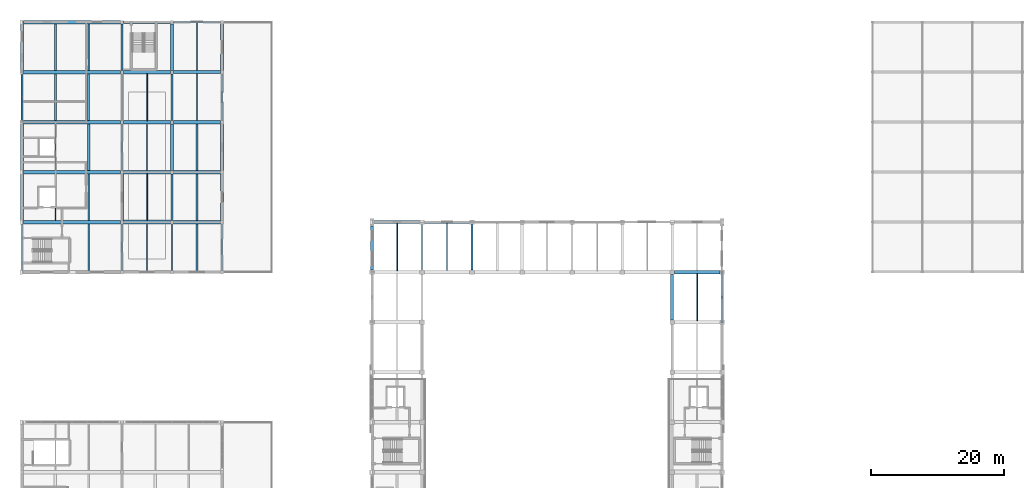
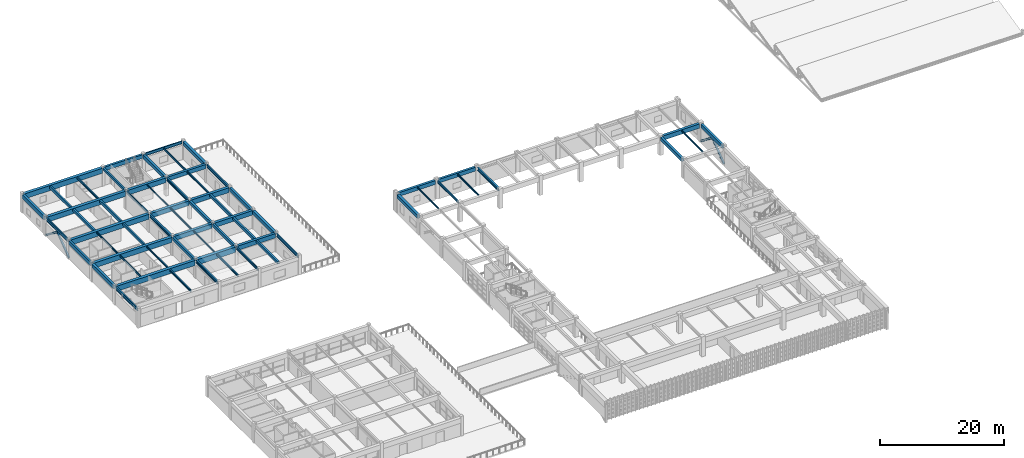
# One storey, part 36 of 82: 64 beams, 4 members.
"""IFC4 building model written with IfcOpenShell, lengths in metres."""

from ifc_helpers import new_model, si_unit, direction, frame, origin, origin_2d, place, context, subcontext, project, spatial, rectangle, i_section, extrude, material, material_profile, profile_set, type_object, element, save


model = new_model("IFC4")

# Units and contexts
model_context = context("Model", 3, precision=1e-05, world=origin(), true_north=direction((0.0, 1.0)))
body_context = subcontext(model_context, "Body", "Model", "MODEL_VIEW")
ifc_project = project(units=[si_unit("LENGTHUNIT", "METRE"), si_unit("AREAUNIT", "SQUARE_METRE"), si_unit("VOLUMEUNIT", "CUBIC_METRE"), si_unit("PLANEANGLEUNIT", "RADIAN"), si_unit("MASSUNIT", "GRAM", prefix="KILO")], contexts=[model_context])

# Site, building, storey
site_placement = place(None, origin())
site = spatial("IfcSite", under=ifc_project, at=site_placement, CompositionType="ELEMENT")
building_placement = place(site_placement, origin())
building = spatial("IfcBuilding", under=site, at=building_placement, Name="Qasida Concert Hall", CompositionType="ELEMENT")
storey_placement = place(building_placement, frame((0.0, 0.0, 17.10009765625)))
storey = spatial("IfcBuildingStorey", under=building, at=storey_placement, Name="L04", CompositionType="ELEMENT", Elevation=17.10009765625)

# Beams
ifc_material_1 = material(Name="Concrete C40/50", Category="concrete")
ifc_material_profile_1 = material_profile(ifc_material_1, rectangle(XDim=0.39990234375, YDim=0.64990234375, at=origin_2d()), Name="RC 400x650")
ifc_profile_set_1 = profile_set([ifc_material_profile_1], Name="Concrete C40/50")
beam_type_1 = type_object("IfcBeamType", Name="BM-B1", PredefinedType="BEAM", material=ifc_profile_set_1)
beam_1_placement = place(storey_placement, frame((22.5, 90.25, 3.294921875), z_axis=(0.0, 1.0, 0.0), x_axis=(-1.0, 0.0, 0.0)))
element("IfcBeam", 1, at=beam_1_placement, inside=storey, type_object=beam_type_1, Name="L04 girder 1961", PredefinedType="BEAM", context=body_context, shape_type="SweptSolid", body=[
    extrude(rectangle(XDim=0.39990234375, YDim=0.64990234375, at=origin_2d()), origin(), (0.0, 0.0, 1.0), 7.0),
])
ifc_material_profile_2 = material_profile(ifc_material_1, rectangle(XDim=0.3798828125, YDim=0.6201171875, at=origin_2d()), Name="RC 380x620")
ifc_profile_set_2 = profile_set([ifc_material_profile_2], Name="Concrete C40/50")
beam_type_2 = type_object("IfcBeamType", Name="BM-B10", PredefinedType="BEAM", material=ifc_profile_set_2)
beam_2_placement = place(storey_placement, frame((15.0, 82.75, 3.309814453125), z_axis=(0.0, 1.0, 0.0), x_axis=(-1.0, 0.0, 0.0)))
element("IfcBeam", 2, at=beam_2_placement, inside=storey, type_object=beam_type_2, Name="L04 girder 1955", PredefinedType="BEAM", context=body_context, shape_type="SweptSolid", body=[
    extrude(rectangle(XDim=0.3798828125, YDim=0.6201171875, at=origin_2d()), origin(), (0.0, 0.0, 1.0), 7.0),
])
ifc_material_profile_3 = material_profile(ifc_material_1, rectangle(XDim=0.419921875, YDim=0.699951171875, at=origin_2d()), Name="RC 420x700")
ifc_profile_set_3 = profile_set([ifc_material_profile_3], Name="Concrete C40/50")
beam_type_3 = type_object("IfcBeamType", Name="BM-B11", PredefinedType="BEAM", material=ifc_profile_set_3)
beam_3_placement = place(storey_placement, frame((97.5, 67.85009765625, 3.27001953125), z_axis=(0.0, 1.0, 0.0), x_axis=(-1.0, 0.0, 0.0)))
element("IfcBeam", 3, at=beam_3_placement, inside=storey, type_object=beam_type_3, Name="L04 girder 1861", PredefinedType="BEAM", context=body_context, shape_type="SweptSolid", body=[
    extrude(rectangle(XDim=0.419921875, YDim=0.699951171875, at=origin_2d()), origin(), (0.0, 0.0, 1.0), 6.7998046875),
])
beam_4_placement = place(storey_placement, frame((22.5, 105.25, 3.27001953125), z_axis=(0.0, 1.0, 0.0), x_axis=(-1.0, 0.0, 0.0)))
element("IfcBeam", 4, at=beam_4_placement, inside=storey, type_object=beam_type_3, Name="L04 girder 1963", PredefinedType="BEAM", context=body_context, shape_type="SweptSolid", body=[
    extrude(rectangle(XDim=0.419921875, YDim=0.699951171875, at=origin_2d()), origin(), (0.0, 0.0, 1.0), 7.0),
])
ifc_material_2 = material(Name="Steel S355J2", Category="steel")
ifc_material_profile_4 = material_profile(ifc_material_2, i_section(OverallWidth=0.300048828125, OverallDepth=0.550048828125, WebThickness=0.014892578125, FlangeThickness=0.029052734375, FilletRadius=0.027099609375, at=origin_2d()), Name="HEB 550")
ifc_profile_set_4 = profile_set([ifc_material_profile_4], Name="Steel S355J2")
beam_type_4 = type_object("IfcBeamType", Name="BM-B12", PredefinedType="BEAM", material=ifc_profile_set_4)
for number, where, z_axis, x_axis, name in (
    (5, (15.0, 75.25, 3.344970703125), (0.0, 1.0, 0.0), (-1.0, 0.0, 0.0), "L04 girder 1954"),
    (6, (22.5, 97.75, 3.344970703125), (0.0, 1.0, 0.0), (-1.0, 0.0, 0.0), "L04 girder 1962"),
):
    element("IfcBeam", number, at=place(storey_placement, frame(where, z_axis=z_axis, x_axis=x_axis)), inside=storey, type_object=beam_type_4, Name=name, PredefinedType="BEAM", context=body_context, shape_type="SweptSolid", body=[
        extrude(i_section(OverallWidth=0.300048828125, OverallDepth=0.550048828125, WebThickness=0.014892578125, FlangeThickness=0.029052734375, FilletRadius=0.027099609375, at=origin_2d()), origin(), (0.0, 0.0, 1.0), 7.0),
    ])
ifc_material_profile_5 = material_profile(ifc_material_1, rectangle(XDim=0.35009765625, YDim=0.60009765625, at=origin_2d()), Name="RC 350x600")
ifc_profile_set_5 = profile_set([ifc_material_profile_5], Name="Concrete C40/50")
beam_type_5 = type_object("IfcBeamType", Name="BM-B2", PredefinedType="BEAM", material=ifc_profile_set_5)
beam_5_placement = place(storey_placement, frame((22.5, 82.75, 3.31982421875), z_axis=(0.0, 1.0, 0.0), x_axis=(-1.0, 0.0, 0.0)))
element("IfcBeam", 7, at=beam_5_placement, inside=storey, type_object=beam_type_5, Name="L04 girder 1960", PredefinedType="BEAM", context=body_context, shape_type="SweptSolid", body=[
    extrude(rectangle(XDim=0.35009765625, YDim=0.60009765625, at=origin_2d()), origin(), (0.0, 0.0, 1.0), 7.0),
])
ifc_material_profile_6 = material_profile(ifc_material_1, rectangle(XDim=0.300048828125, YDim=0.449951171875, at=origin_2d()), Name="RC 300x450")
ifc_profile_set_6 = profile_set([ifc_material_profile_6], Name="Concrete C40/50")
beam_type_6 = type_object("IfcBeamType", Name="BM-B3", PredefinedType="BEAM", material=ifc_profile_set_6)
beam_6_placement = place(storey_placement, frame((15.0, 105.25, 3.39501953125), z_axis=(0.0, 1.0, 0.0), x_axis=(-1.0, 0.0, 0.0)))
element("IfcBeam", 8, at=beam_6_placement, inside=storey, type_object=beam_type_6, Name="L04 girder 1958", PredefinedType="BEAM", context=body_context, shape_type="SweptSolid", body=[
    extrude(rectangle(XDim=0.300048828125, YDim=0.449951171875, at=origin_2d()), origin(), (0.0, 0.0, 1.0), 7.0),
])
ifc_material_profile_7 = material_profile(ifc_material_2, i_section(OverallWidth=0.199951171875, OverallDepth=0.5, WebThickness=0.01025390625, FlangeThickness=0.01611328125, FilletRadius=0.02099609375, at=origin_2d()), Name="IPE 500")
ifc_profile_set_7 = profile_set([ifc_material_profile_7], Name="Steel S355J2")
beam_type_7 = type_object("IfcBeamType", Name="BM-B4", PredefinedType="BEAM", material=ifc_profile_set_7)
for number, where, z_axis, x_axis, name in (
    (9, (15.0, 97.75, 3.369873046875), (0.0, 1.0, 0.0), (-1.0, 0.0, 0.0), "L04 girder 1957"),
    (10, (22.5, 75.25, 3.369873046875), (0.0, 1.0, 0.0), (-1.0, 0.0, 0.0), "L04 girder 1959"),
):
    element("IfcBeam", number, at=place(storey_placement, frame(where, z_axis=z_axis, x_axis=x_axis)), inside=storey, type_object=beam_type_7, Name=name, PredefinedType="BEAM", context=body_context, shape_type="SweptSolid", body=[
        extrude(i_section(OverallWidth=0.199951171875, OverallDepth=0.5, WebThickness=0.01025390625, FlangeThickness=0.01611328125, FilletRadius=0.02099609375, at=origin_2d()), origin(), (0.0, 0.0, 1.0), 7.0),
    ])
ifc_material_profile_8 = material_profile(ifc_material_2, i_section(OverallWidth=0.18994140625, OverallDepth=0.449951171875, WebThickness=0.009521484375, FlangeThickness=0.0146484375, FilletRadius=0.02099609375, at=origin_2d()), Name="IPE 450")
ifc_profile_set_8 = profile_set([ifc_material_profile_8], Name="Steel S355J2")
beam_type_8 = type_object("IfcBeamType", Name="BM-B5", PredefinedType="BEAM", material=ifc_profile_set_8)
beam_7_placement = place(storey_placement, frame((60.0, 75.35009765625, 3.39501953125), z_axis=(0.0, 1.0, 0.0), x_axis=(-1.0, 0.0, 0.0)))
element("IfcBeam", 11, at=beam_7_placement, inside=storey, type_object=beam_type_8, Name="L04 girder 1850", PredefinedType="BEAM", context=body_context, shape_type="SweptSolid", body=[
    extrude(i_section(OverallWidth=0.18994140625, OverallDepth=0.449951171875, WebThickness=0.009521484375, FlangeThickness=0.0146484375, FilletRadius=0.02099609375, at=origin_2d()), origin(), (0.0, 0.0, 1.0), 6.7998046875),
])
ifc_material_profile_9 = material_profile(ifc_material_2, i_section(OverallWidth=0.300048828125, OverallDepth=0.60009765625, WebThickness=0.015380859375, FlangeThickness=0.030029296875, FilletRadius=0.027099609375, at=origin_2d()), Name="HEB 600")
ifc_profile_set_9 = profile_set([ifc_material_profile_9], Name="Steel S355J2")
beam_type_9 = type_object("IfcBeamType", Name="BM-B6", PredefinedType="BEAM", material=ifc_profile_set_9)
beam_8_placement = place(storey_placement, frame((67.5, 75.35009765625, 3.31982421875), z_axis=(0.0, 1.0, 0.0), x_axis=(-1.0, 0.0, 0.0)))
element("IfcBeam", 12, at=beam_8_placement, inside=storey, type_object=beam_type_9, Name="L04 girder 1851", PredefinedType="BEAM", context=body_context, shape_type="SweptSolid", body=[
    extrude(i_section(OverallWidth=0.300048828125, OverallDepth=0.60009765625, WebThickness=0.015380859375, FlangeThickness=0.030029296875, FilletRadius=0.027099609375, at=origin_2d()), origin(), (0.0, 0.0, 1.0), 6.7998046875),
])
beam_9_placement = place(storey_placement, frame((15.0, 90.25, 3.31982421875), z_axis=(0.0, 1.0, 0.0), x_axis=(-1.0, 0.0, 0.0)))
element("IfcBeam", 13, at=beam_9_placement, inside=storey, type_object=beam_type_9, Name="L04 girder 1956", PredefinedType="BEAM", context=body_context, shape_type="SweptSolid", body=[
    extrude(i_section(OverallWidth=0.300048828125, OverallDepth=0.60009765625, WebThickness=0.015380859375, FlangeThickness=0.030029296875, FilletRadius=0.027099609375, at=origin_2d()), origin(), (0.0, 0.0, 1.0), 7.0),
])
ifc_material_profile_10 = material_profile(ifc_material_1, rectangle(XDim=0.5, YDim=0.89990234375, at=origin_2d()), Name="RC 500x900")
ifc_profile_set_10 = profile_set([ifc_material_profile_10], Name="Concrete C40/50")
beam_type_10 = type_object("IfcBeamType", Name="BM-G1", PredefinedType="USERDEFINED", material=ifc_profile_set_10)
for number, where, z_axis, x_axis, name in (
    (14, (22.75, 90.0, 3.169921875), (1.0, 0.0, 0.0), (0.0, 1.0, 0.0), "Primary girder 1939"),
    (15, (15.25, 97.5, 3.169921875), (1.0, 0.0, 0.0), (0.0, 1.0, 0.0), "Primary girder 1941"),
):
    element("IfcBeam", number, at=place(storey_placement, frame(where, z_axis=z_axis, x_axis=x_axis)), inside=storey, type_object=beam_type_10, Name=name, ObjectType="GIRDER", PredefinedType="USERDEFINED", context=body_context, shape_type="SweptSolid", body=[
        extrude(rectangle(XDim=0.5, YDim=0.89990234375, at=origin_2d()), origin(), (0.0, 0.0, 1.0), 7.0),
    ])
ifc_material_profile_11 = material_profile(ifc_material_1, rectangle(XDim=0.449951171875, YDim=0.800048828125, at=origin_2d()), Name="RC 450x800")
ifc_profile_set_11 = profile_set([ifc_material_profile_11], Name="Concrete C40/50")
beam_type_11 = type_object("IfcBeamType", Name="BM-G2", PredefinedType="USERDEFINED", material=ifc_profile_set_11)
beam_10_placement = place(storey_placement, frame((22.75, 105.0, 3.219970703125), z_axis=(1.0, 0.0, 0.0), x_axis=(0.0, 1.0, 0.0)))
element("IfcBeam", 16, at=beam_10_placement, inside=storey, type_object=beam_type_11, Name="Primary girder 1945", ObjectType="GIRDER", PredefinedType="USERDEFINED", context=body_context, shape_type="SweptSolid", body=[
    extrude(rectangle(XDim=0.449951171875, YDim=0.800048828125, at=origin_2d()), origin(), (0.0, 0.0, 1.0), 7.0),
])
ifc_material_profile_12 = material_profile(ifc_material_1, rectangle(XDim=0.550048828125, YDim=1.0, at=origin_2d()), Name="RC 550x1000")
ifc_profile_set_12 = profile_set([ifc_material_profile_12], Name="Concrete C40/50")
beam_type_12 = type_object("IfcBeamType", Name="BM-G3", PredefinedType="USERDEFINED", material=ifc_profile_set_12)
for number, where, z_axis, x_axis, name in (
    (17, (0.25, 82.5, 3.119873046875), (1.0, 0.0, 0.0), (0.0, 1.0, 0.0), "Primary girder 1934"),
    (18, (0.25, 90.0, 3.119873046875), (1.0, 0.0, 0.0), (0.0, 1.0, 0.0), "Primary girder 1937"),
    (19, (0.25, 97.5, 3.119873046875), (1.0, 0.0, 0.0), (0.0, 1.0, 0.0), "Primary girder 1940"),
    (20, (0.25, 105.0, 3.119873046875), (1.0, 0.0, 0.0), (0.0, 1.0, 0.0), "Primary girder 1943"),
    (21, (0.25, 112.5, 3.119873046875), (1.0, 0.0, 0.0), (0.0, 1.0, 0.0), "Primary girder 1946"),
):
    element("IfcBeam", number, at=place(storey_placement, frame(where, z_axis=z_axis, x_axis=x_axis)), inside=storey, type_object=beam_type_12, Name=name, ObjectType="GIRDER", PredefinedType="USERDEFINED", context=body_context, shape_type="SweptSolid", body=[
        extrude(rectangle(XDim=0.550048828125, YDim=1.0, at=origin_2d()), origin(), (0.0, 0.0, 1.0), 14.5),
    ])
ifc_material_profile_13 = material_profile(ifc_material_1, rectangle(XDim=0.47998046875, YDim=0.85009765625, at=origin_2d()), Name="RC 480x850")
ifc_profile_set_13 = profile_set([ifc_material_profile_13], Name="Concrete C40/50")
beam_type_13 = type_object("IfcBeamType", Name="BM-G6", PredefinedType="USERDEFINED", material=ifc_profile_set_13)
beam_11_placement = place(storey_placement, frame((97.85009765625, 75.0, 3.19482421875), z_axis=(1.0, 0.0, 0.0), x_axis=(0.0, 1.0, 0.0)))
element("IfcBeam", 22, at=beam_11_placement, inside=storey, type_object=beam_type_13, Name="Primary girder 1831", ObjectType="GIRDER", PredefinedType="USERDEFINED", context=body_context, shape_type="SweptSolid", body=[
    extrude(rectangle(XDim=0.47998046875, YDim=0.85009765625, at=origin_2d()), origin(), (0.0, 0.0, 1.0), 6.7998046875),
])
for number, where, z_axis, x_axis, name in (
    (23, (22.75, 82.5, 3.19482421875), (1.0, 0.0, 0.0), (0.0, 1.0, 0.0), "Primary girder 1936"),
    (24, (15.25, 90.0, 3.19482421875), (1.0, 0.0, 0.0), (0.0, 1.0, 0.0), "Primary girder 1938"),
):
    element("IfcBeam", number, at=place(storey_placement, frame(where, z_axis=z_axis, x_axis=x_axis)), inside=storey, type_object=beam_type_13, Name=name, ObjectType="GIRDER", PredefinedType="USERDEFINED", context=body_context, shape_type="SweptSolid", body=[
        extrude(rectangle(XDim=0.47998046875, YDim=0.85009765625, at=origin_2d()), origin(), (0.0, 0.0, 1.0), 7.0),
    ])
ifc_material_profile_14 = material_profile(ifc_material_1, rectangle(XDim=0.52001953125, YDim=0.949951171875, at=origin_2d()), Name="RC 520x950")
ifc_profile_set_14 = profile_set([ifc_material_profile_14], Name="Concrete C40/50")
beam_type_14 = type_object("IfcBeamType", Name="BM-G7", PredefinedType="USERDEFINED", material=ifc_profile_set_14)
for number, where, z_axis, x_axis, name in (
    (25, (22.75, 97.5, 3.14501953125), (1.0, 0.0, 0.0), (0.0, 1.0, 0.0), "Primary girder 1942"),
    (26, (15.25, 105.0, 3.14501953125), (1.0, 0.0, 0.0), (0.0, 1.0, 0.0), "Primary girder 1944"),
):
    element("IfcBeam", number, at=place(storey_placement, frame(where, z_axis=z_axis, x_axis=x_axis)), inside=storey, type_object=beam_type_14, Name=name, ObjectType="GIRDER", PredefinedType="USERDEFINED", context=body_context, shape_type="SweptSolid", body=[
        extrude(rectangle(XDim=0.52001953125, YDim=0.949951171875, at=origin_2d()), origin(), (0.0, 0.0, 1.0), 7.0),
    ])
ifc_material_3 = material(Name="Concrete C50/60", Category="concrete")
ifc_material_profile_15 = material_profile(ifc_material_3, rectangle(XDim=0.580078125, YDim=1.050048828125, at=origin_2d()), Name="RC 580x1050")
ifc_profile_set_15 = profile_set([ifc_material_profile_15], Name="Concrete C50/60")
beam_type_15 = type_object("IfcBeamType", Name="BM-G8", PredefinedType="USERDEFINED", material=ifc_profile_set_15)
beam_12_placement = place(storey_placement, frame((15.25, 82.5, 3.094970703125), z_axis=(1.0, 0.0, 0.0), x_axis=(0.0, 1.0, 0.0)))
element("IfcBeam", 27, at=beam_12_placement, inside=storey, type_object=beam_type_15, Name="Primary girder 1935", ObjectType="GIRDER", PredefinedType="USERDEFINED", context=body_context, shape_type="SweptSolid", body=[
    extrude(rectangle(XDim=0.580078125, YDim=1.050048828125, at=origin_2d()), origin(), (0.0, 0.0, 1.0), 7.0),
])
ifc_material_profile_16 = material_profile(ifc_material_1, rectangle(XDim=0.300048828125, YDim=0.550048828125, at=origin_2d()), Name="RC 300x550")
ifc_profile_set_16 = profile_set([ifc_material_profile_16], Name="Concrete C40/50")
beam_type_16 = type_object("IfcBeamType", Name="BM-J1", PredefinedType="JOIST", material=ifc_profile_set_16)
for number, where, z_axis, x_axis, name in (
    (28, (10.0, 97.77490234375, 3.344970703125), (0.0, 1.0, 0.0), (-1.0, 0.0, 0.0), "L04 secondary joist 1975"),
    (29, (5.0, 105.27490234375, 3.344970703125), (0.0, 1.0, 0.0), (-1.0, 0.0, 0.0), "L04 secondary joist 1976"),
):
    element("IfcBeam", number, at=place(storey_placement, frame(where, z_axis=z_axis, x_axis=x_axis)), inside=storey, type_object=beam_type_16, Name=name, PredefinedType="JOIST", context=body_context, shape_type="SweptSolid", body=[
        extrude(rectangle(XDim=0.300048828125, YDim=0.550048828125, at=origin_2d()), origin(), (0.0, 0.0, 1.0), 6.9501953125),
    ])
beam_13_placement = place(storey_placement, frame((26.25, 90.25, 3.344970703125), z_axis=(0.0, 1.0, 0.0), x_axis=(-1.0, 0.0, 0.0)))
element("IfcBeam", 30, at=beam_13_placement, inside=storey, type_object=beam_type_16, Name="L04 secondary joist 1984", PredefinedType="JOIST", context=body_context, shape_type="SweptSolid", body=[
    extrude(rectangle(XDim=0.300048828125, YDim=0.550048828125, at=origin_2d()), origin(), (0.0, 0.0, 1.0), 6.989990234375),
])
ifc_material_profile_17 = material_profile(ifc_material_2, i_section(OverallWidth=0.169921875, OverallDepth=0.360107421875, WebThickness=0.008056640625, FlangeThickness=0.0126953125, FilletRadius=0.01806640625, at=origin_2d()), Name="IPE 360")
ifc_profile_set_17 = profile_set([ifc_material_profile_17], Name="Steel S355J2")
beam_type_17 = type_object("IfcBeamType", Name="BM-J2", PredefinedType="JOIST", material=ifc_profile_set_17)
beam_14_placement = place(storey_placement, frame((26.25, 97.760009765625, 3.43994140625), z_axis=(0.0, 1.0, 0.0), x_axis=(-1.0, 0.0, 0.0)))
element("IfcBeam", 31, at=beam_14_placement, inside=storey, type_object=beam_type_17, Name="L04 secondary joist 1985", PredefinedType="JOIST", context=body_context, shape_type="SweptSolid", body=[
    extrude(i_section(OverallWidth=0.169921875, OverallDepth=0.360107421875, WebThickness=0.008056640625, FlangeThickness=0.0126953125, FilletRadius=0.01806640625, at=origin_2d()), origin(), (0.0, 0.0, 1.0), 7.014892578125),
])
ifc_material_profile_18 = material_profile(ifc_material_2, i_section(OverallWidth=0.179931640625, OverallDepth=0.39990234375, WebThickness=0.008544921875, FlangeThickness=0.013427734375, FilletRadius=0.02099609375, at=origin_2d()), Name="IPE 400")
ifc_profile_set_18 = profile_set([ifc_material_profile_18], Name="Steel S355J2")
beam_type_18 = type_object("IfcBeamType", Name="BM-J3", PredefinedType="JOIST", material=ifc_profile_set_18)
for number, where, z_axis, x_axis, name in (
    (32, (10.0, 75.27490234375, 3.419921875), (0.0, 1.0, 0.0), (-1.0, 0.0, 0.0), "L04 secondary joist 1969"),
    (33, (5.0, 82.77490234375, 3.419921875), (0.0, 1.0, 0.0), (-1.0, 0.0, 0.0), "L04 secondary joist 1970"),
    (34, (10.0, 105.27490234375, 3.419921875), (0.0, 1.0, 0.0), (-1.0, 0.0, 0.0), "L04 secondary joist 1977"),
):
    element("IfcBeam", number, at=place(storey_placement, frame(where, z_axis=z_axis, x_axis=x_axis)), inside=storey, type_object=beam_type_18, Name=name, PredefinedType="JOIST", context=body_context, shape_type="SweptSolid", body=[
        extrude(i_section(OverallWidth=0.179931640625, OverallDepth=0.39990234375, WebThickness=0.008544921875, FlangeThickness=0.013427734375, FilletRadius=0.02099609375, at=origin_2d()), origin(), (0.0, 0.0, 1.0), 6.9501953125),
    ])
beam_15_placement = place(storey_placement, frame((18.75, 75.22509765625, 3.419921875), z_axis=(0.0, 1.0, 0.0), x_axis=(-1.0, 0.0, 0.0)))
element("IfcBeam", 35, at=beam_15_placement, inside=storey, type_object=beam_type_18, Name="L04 secondary joist 1978", PredefinedType="JOIST", context=body_context, shape_type="SweptSolid", body=[
    extrude(i_section(OverallWidth=0.179931640625, OverallDepth=0.39990234375, WebThickness=0.008544921875, FlangeThickness=0.013427734375, FilletRadius=0.02099609375, at=origin_2d()), origin(), (0.0, 0.0, 1.0), 6.98486328125),
])
beam_16_placement = place(storey_placement, frame((26.25, 105.22509765625, 3.419921875), z_axis=(0.0, 1.0, 0.0), x_axis=(-1.0, 0.0, 0.0)))
element("IfcBeam", 36, at=beam_16_placement, inside=storey, type_object=beam_type_18, Name="L04 secondary joist 1986", PredefinedType="JOIST", context=body_context, shape_type="SweptSolid", body=[
    extrude(i_section(OverallWidth=0.179931640625, OverallDepth=0.39990234375, WebThickness=0.008544921875, FlangeThickness=0.013427734375, FilletRadius=0.02099609375, at=origin_2d()), origin(), (0.0, 0.0, 1.0), 7.169921875),
])
ifc_material_profile_19 = material_profile(ifc_material_2, i_section(OverallWidth=0.14990234375, OverallDepth=0.300048828125, WebThickness=0.007080078125, FlangeThickness=0.0107421875, FilletRadius=0.014892578125, at=origin_2d()), Name="IPE 300")
ifc_profile_set_19 = profile_set([ifc_material_profile_19], Name="Steel S355J2")
beam_type_19 = type_object("IfcBeamType", Name="BM-J4", PredefinedType="JOIST", material=ifc_profile_set_19)
beam_17_placement = place(storey_placement, frame((56.25, 75.22509765625, 3.469970703125), z_axis=(0.0, 1.0, 0.0), x_axis=(-1.0, 0.0, 0.0)))
element("IfcBeam", 37, at=beam_17_placement, inside=storey, type_object=beam_type_19, Name="L04 secondary joist 1875", PredefinedType="JOIST", context=body_context, shape_type="SweptSolid", body=[
    extrude(i_section(OverallWidth=0.14990234375, OverallDepth=0.300048828125, WebThickness=0.007080078125, FlangeThickness=0.0107421875, FilletRadius=0.014892578125, at=origin_2d()), origin(), (0.0, 0.0, 1.0), 7.0498046875),
])
beam_18_placement = place(storey_placement, frame((101.25, 67.75, 3.469970703125), z_axis=(0.0, 1.0, 0.0), x_axis=(-1.0, 0.0, 0.0)))
element("IfcBeam", 38, at=beam_18_placement, inside=storey, type_object=beam_type_19, Name="L04 secondary joist 1891", PredefinedType="JOIST", context=body_context, shape_type="SweptSolid", body=[
    extrude(i_section(OverallWidth=0.14990234375, OverallDepth=0.300048828125, WebThickness=0.007080078125, FlangeThickness=0.0107421875, FilletRadius=0.014892578125, at=origin_2d()), origin(), (0.0, 0.0, 1.0), 7.010009765625),
])
beam_19_placement = place(storey_placement, frame((18.75, 82.7900390625, 3.469970703125), z_axis=(0.0, 1.0, 0.0), x_axis=(-1.0, 0.0, 0.0)))
element("IfcBeam", 39, at=beam_19_placement, inside=storey, type_object=beam_type_19, Name="L04 secondary joist 1979", PredefinedType="JOIST", context=body_context, shape_type="SweptSolid", body=[
    extrude(i_section(OverallWidth=0.14990234375, OverallDepth=0.300048828125, WebThickness=0.007080078125, FlangeThickness=0.0107421875, FilletRadius=0.014892578125, at=origin_2d()), origin(), (0.0, 0.0, 1.0), 6.969970703125),
])
ifc_material_profile_20 = material_profile(ifc_material_2, i_section(OverallWidth=0.159912109375, OverallDepth=0.330078125, WebThickness=0.007568359375, FlangeThickness=0.011474609375, FilletRadius=0.01806640625, at=origin_2d()), Name="IPE 330")
ifc_profile_set_20 = profile_set([ifc_material_profile_20], Name="Steel S355J2")
beam_type_20 = type_object("IfcBeamType", Name="BM-J5", PredefinedType="JOIST", material=ifc_profile_set_20)
beam_20_placement = place(storey_placement, frame((63.75, 75.25, 3.454833984375), z_axis=(0.0, 1.0, 0.0), x_axis=(-1.0, 0.0, 0.0)))
element("IfcBeam", 40, at=beam_20_placement, inside=storey, type_object=beam_type_20, Name="L04 secondary joist 1876", PredefinedType="JOIST", context=body_context, shape_type="SweptSolid", body=[
    extrude(i_section(OverallWidth=0.159912109375, OverallDepth=0.330078125, WebThickness=0.007568359375, FlangeThickness=0.011474609375, FilletRadius=0.01806640625, at=origin_2d()), origin(), (0.0, 0.0, 1.0), 7.050048828125),
])
for number, where, z_axis, x_axis, name in (
    (41, (10.0, 82.77490234375, 3.454833984375), (0.0, 1.0, 0.0), (-1.0, 0.0, 0.0), "L04 secondary joist 1971"),
    (42, (5.0, 90.27490234375, 3.454833984375), (0.0, 1.0, 0.0), (-1.0, 0.0, 0.0), "L04 secondary joist 1972"),
):
    element("IfcBeam", number, at=place(storey_placement, frame(where, z_axis=z_axis, x_axis=x_axis)), inside=storey, type_object=beam_type_20, Name=name, PredefinedType="JOIST", context=body_context, shape_type="SweptSolid", body=[
        extrude(i_section(OverallWidth=0.159912109375, OverallDepth=0.330078125, WebThickness=0.007568359375, FlangeThickness=0.011474609375, FilletRadius=0.01806640625, at=origin_2d()), origin(), (0.0, 0.0, 1.0), 6.9501953125),
    ])
beam_21_placement = place(storey_placement, frame((18.75, 90.239990234375, 3.454833984375), z_axis=(0.0, 1.0, 0.0), x_axis=(-1.0, 0.0, 0.0)))
element("IfcBeam", 43, at=beam_21_placement, inside=storey, type_object=beam_type_20, Name="L04 secondary joist 1980", PredefinedType="JOIST", context=body_context, shape_type="SweptSolid", body=[
    extrude(i_section(OverallWidth=0.159912109375, OverallDepth=0.330078125, WebThickness=0.007568359375, FlangeThickness=0.011474609375, FilletRadius=0.01806640625, at=origin_2d()), origin(), (0.0, 0.0, 1.0), 7.010009765625),
])
ifc_material_profile_21 = material_profile(ifc_material_2, i_section(OverallWidth=0.135009765625, OverallDepth=0.27001953125, WebThickness=0.006591796875, FlangeThickness=0.01025390625, FilletRadius=0.014892578125, at=origin_2d()), Name="IPE 270")
ifc_profile_set_21 = profile_set([ifc_material_profile_21], Name="Steel S355J2")
beam_type_21 = type_object("IfcBeamType", Name="BM-J6", PredefinedType="JOIST", material=ifc_profile_set_21)
beam_22_placement = place(storey_placement, frame((18.75, 97.75, 3.48486328125), z_axis=(0.0, 1.0, 0.0), x_axis=(-1.0, 0.0, 0.0)))
element("IfcBeam", 44, at=beam_22_placement, inside=storey, type_object=beam_type_21, Name="L04 secondary joist 1981", PredefinedType="JOIST", context=body_context, shape_type="SweptSolid", body=[
    extrude(i_section(OverallWidth=0.135009765625, OverallDepth=0.27001953125, WebThickness=0.006591796875, FlangeThickness=0.01025390625, FilletRadius=0.014892578125, at=origin_2d()), origin(), (0.0, 0.0, 1.0), 6.989990234375),
])
ifc_material_profile_22 = material_profile(ifc_material_1, rectangle(XDim=0.320068359375, YDim=0.5, at=origin_2d()), Name="RC 320x500")
ifc_profile_set_22 = profile_set([ifc_material_profile_22], Name="Concrete C40/50")
beam_type_22 = type_object("IfcBeamType", Name="BM-J7", PredefinedType="JOIST", material=ifc_profile_set_22)
for number, where, z_axis, x_axis, name in (
    (45, (10.0, 90.27490234375, 3.369873046875), (0.0, 1.0, 0.0), (-1.0, 0.0, 0.0), "L04 secondary joist 1973"),
    (46, (5.0, 97.77490234375, 3.369873046875), (0.0, 1.0, 0.0), (-1.0, 0.0, 0.0), "L04 secondary joist 1974"),
):
    element("IfcBeam", number, at=place(storey_placement, frame(where, z_axis=z_axis, x_axis=x_axis)), inside=storey, type_object=beam_type_22, Name=name, PredefinedType="JOIST", context=body_context, shape_type="SweptSolid", body=[
        extrude(rectangle(XDim=0.320068359375, YDim=0.5, at=origin_2d()), origin(), (0.0, 0.0, 1.0), 6.9501953125),
    ])
beam_23_placement = place(storey_placement, frame((26.25, 75.199951171875, 3.369873046875), z_axis=(0.0, 1.0, 0.0), x_axis=(-1.0, 0.0, 0.0)))
element("IfcBeam", 47, at=beam_23_placement, inside=storey, type_object=beam_type_22, Name="L04 secondary joist 1982", PredefinedType="JOIST", context=body_context, shape_type="SweptSolid", body=[
    extrude(rectangle(XDim=0.320068359375, YDim=0.5, at=origin_2d()), origin(), (0.0, 0.0, 1.0), 7.06005859375),
])
ifc_material_profile_23 = material_profile(ifc_material_1, rectangle(XDim=0.35009765625, YDim=0.550048828125, at=origin_2d()), Name="RC 350x550")
ifc_profile_set_23 = profile_set([ifc_material_profile_23], Name="Concrete C40/50")
beam_type_23 = type_object("IfcBeamType", Name="BM-J8", PredefinedType="JOIST", material=ifc_profile_set_23)
beam_24_placement = place(storey_placement, frame((26.25, 82.739990234375, 3.344970703125), z_axis=(0.0, 1.0, 0.0), x_axis=(-1.0, 0.0, 0.0)))
element("IfcBeam", 48, at=beam_24_placement, inside=storey, type_object=beam_type_23, Name="L04 secondary joist 1983", PredefinedType="JOIST", context=body_context, shape_type="SweptSolid", body=[
    extrude(rectangle(XDim=0.35009765625, YDim=0.550048828125, at=origin_2d()), origin(), (0.0, 0.0, 1.0), 7.010009765625),
])
ifc_material_profile_24 = material_profile(ifc_material_1, rectangle(XDim=0.39990234375, YDim=0.75, at=origin_2d()), Name="RC 400x750")
ifc_profile_set_24 = profile_set([ifc_material_profile_24], Name="Concrete C40/50")
beam_type_24 = type_object("IfcBeamType", Name="BM-SP1", PredefinedType="SPANDREL", material=ifc_profile_set_24)
for number, where, z_axis, x_axis, name in (
    (49, (60.35009765625, 82.5, 3.244873046875), (1.0, 0.0, 0.0), (0.0, 1.0, 0.0), "Primary girder 1833"),
    (50, (105.0, 67.85009765625, 3.244873046875), (0.0, 1.0, 0.0), (-1.0, 0.0, 0.0), "L04 girder 1867"),
):
    element("IfcBeam", number, at=place(storey_placement, frame(where, z_axis=z_axis, x_axis=x_axis)), inside=storey, type_object=beam_type_24, Name=name, PredefinedType="SPANDREL", context=body_context, shape_type="SweptSolid", body=[
        extrude(rectangle(XDim=0.39990234375, YDim=0.75, at=origin_2d()), origin(), (0.0, 0.0, 1.0), 6.7998046875),
    ])
for number, where, z_axis, x_axis, name in (
    (51, (15.25, 112.5, 3.244873046875), (1.0, 0.0, 0.0), (0.0, 1.0, 0.0), "Primary girder 1947"),
    (52, (0.0, 90.25, 3.244873046875), (0.0, 1.0, 0.0), (-1.0, 0.0, 0.0), "L04 girder 1951"),
    (53, (30.0, 90.25, 3.244873046875), (0.0, 1.0, 0.0), (-1.0, 0.0, 0.0), "L04 girder 1966"),
):
    element("IfcBeam", number, at=place(storey_placement, frame(where, z_axis=z_axis, x_axis=x_axis)), inside=storey, type_object=beam_type_24, Name=name, PredefinedType="SPANDREL", context=body_context, shape_type="SweptSolid", body=[
        extrude(rectangle(XDim=0.39990234375, YDim=0.75, at=origin_2d()), origin(), (0.0, 0.0, 1.0), 7.0),
    ])
ifc_material_profile_25 = material_profile(ifc_material_2, i_section(OverallWidth=0.2099609375, OverallDepth=0.550048828125, WebThickness=0.010986328125, FlangeThickness=0.01708984375, FilletRadius=0.02392578125, at=origin_2d()), Name="IPE 550")
ifc_profile_set_25 = profile_set([ifc_material_profile_25], Name="Steel S355J2")
beam_type_25 = type_object("IfcBeamType", Name="BM-SP2", PredefinedType="SPANDREL", material=ifc_profile_set_25)
beam_25_placement = place(storey_placement, frame((22.75, 112.5, 3.344970703125), z_axis=(1.0, 0.0, 0.0), x_axis=(0.0, 1.0, 0.0)))
element("IfcBeam", 54, at=beam_25_placement, inside=storey, type_object=beam_type_25, Name="Primary girder 1948", PredefinedType="SPANDREL", context=body_context, shape_type="SweptSolid", body=[
    extrude(i_section(OverallWidth=0.2099609375, OverallDepth=0.550048828125, WebThickness=0.010986328125, FlangeThickness=0.01708984375, FilletRadius=0.02392578125, at=origin_2d()), origin(), (0.0, 0.0, 1.0), 7.0),
])
ifc_material_profile_26 = material_profile(ifc_material_2, i_section(OverallWidth=0.219970703125, OverallDepth=0.60009765625, WebThickness=0.011962890625, FlangeThickness=0.01904296875, FilletRadius=0.02392578125, at=origin_2d()), Name="IPE 600")
ifc_profile_set_26 = profile_set([ifc_material_profile_26], Name="Steel S355J2")
beam_type_26 = type_object("IfcBeamType", Name="BM-SP3", PredefinedType="SPANDREL", material=ifc_profile_set_26)
for number, where, z_axis, x_axis, name in (
    (55, (0.0, 75.25, 3.31982421875), (0.0, 1.0, 0.0), (-1.0, 0.0, 0.0), "L04 girder 1949"),
    (56, (0.0, 97.75, 3.31982421875), (0.0, 1.0, 0.0), (-1.0, 0.0, 0.0), "L04 girder 1952"),
    (57, (30.0, 75.25, 3.31982421875), (0.0, 1.0, 0.0), (-1.0, 0.0, 0.0), "L04 girder 1964"),
    (58, (30.0, 97.75, 3.31982421875), (0.0, 1.0, 0.0), (-1.0, 0.0, 0.0), "L04 girder 1967"),
):
    element("IfcBeam", number, at=place(storey_placement, frame(where, z_axis=z_axis, x_axis=x_axis)), inside=storey, type_object=beam_type_26, Name=name, PredefinedType="SPANDREL", context=body_context, shape_type="SweptSolid", body=[
        extrude(i_section(OverallWidth=0.219970703125, OverallDepth=0.60009765625, WebThickness=0.011962890625, FlangeThickness=0.01904296875, FilletRadius=0.02392578125, at=origin_2d()), origin(), (0.0, 0.0, 1.0), 7.0),
    ])
ifc_material_profile_27 = material_profile(ifc_material_1, rectangle(XDim=0.449951171875, YDim=0.75, at=origin_2d()), Name="RC 450x750")
ifc_profile_set_27 = profile_set([ifc_material_profile_27], Name="Concrete C40/50")
beam_type_27 = type_object("IfcBeamType", Name="BM-SP4", PredefinedType="SPANDREL", material=ifc_profile_set_27)
beam_26_placement = place(storey_placement, frame((52.800048828125, 82.5, 3.244873046875), z_axis=(1.0, 0.0, 0.0), x_axis=(0.0, 1.0, 0.0)))
element("IfcBeam", 59, at=beam_26_placement, inside=storey, type_object=beam_type_27, Name="Primary girder 1832", PredefinedType="SPANDREL", context=body_context, shape_type="SweptSolid", body=[
    extrude(rectangle(XDim=0.449951171875, YDim=0.75, at=origin_2d()), origin(), (0.0, 0.0, 1.0), 6.849853515625),
])
beam_27_placement = place(storey_placement, frame((52.5, 75.35009765625, 3.244873046875), z_axis=(0.0, 1.0, 0.0), x_axis=(-1.0, 0.0, 0.0)))
element("IfcBeam", 60, at=beam_27_placement, inside=storey, type_object=beam_type_27, Name="L04 girder 1844", PredefinedType="SPANDREL", context=body_context, shape_type="SweptSolid", body=[
    extrude(rectangle(XDim=0.449951171875, YDim=0.75, at=origin_2d()), origin(), (0.0, 0.0, 1.0), 6.599853515625),
])
for number, where, z_axis, x_axis, name in (
    (61, (0.0, 82.75, 3.244873046875), (0.0, 1.0, 0.0), (-1.0, 0.0, 0.0), "L04 girder 1950"),
    (62, (0.0, 105.25, 3.244873046875), (0.0, 1.0, 0.0), (-1.0, 0.0, 0.0), "L04 girder 1953"),
    (63, (30.0, 82.75, 3.244873046875), (0.0, 1.0, 0.0), (-1.0, 0.0, 0.0), "L04 girder 1965"),
    (64, (30.0, 105.25, 3.244873046875), (0.0, 1.0, 0.0), (-1.0, 0.0, 0.0), "L04 girder 1968"),
):
    element("IfcBeam", number, at=place(storey_placement, frame(where, z_axis=z_axis, x_axis=x_axis)), inside=storey, type_object=beam_type_27, Name=name, PredefinedType="SPANDREL", context=body_context, shape_type="SweptSolid", body=[
        extrude(rectangle(XDim=0.449951171875, YDim=0.75, at=origin_2d()), origin(), (0.0, 0.0, 1.0), 7.0),
    ])

# Members
ifc_material_profile_28 = material_profile(ifc_material_2, i_section(OverallWidth=0.300048828125, OverallDepth=0.300048828125, WebThickness=0.010986328125, FlangeThickness=0.01904296875, FilletRadius=0.027099609375, at=origin_2d()), Name="HEB 300")
ifc_profile_set_28 = profile_set([ifc_material_profile_28], Name="Steel S355J2")
member_type = type_object("IfcMemberType", Name="MB-BR4", PredefinedType="BRACE", material=ifc_profile_set_28)
for number, where, z_axis, x_axis, name in (
    (65, (105.0, 67.5, 0.0), (0.0, 0.794130314617, 0.607747516167), (-1.0, 0.0, 0.0), "L04 chevron brace CBF-0021"),
    (66, (105.0, 75.0, 0.0), (0.0, -0.794130314617, 0.607747516167), (1.0, 0.0, 0.0), "L04 chevron brace CBF-0022"),
    (67, (0.0, 97.5, 0.0), (0.0, 0.794130314617, 0.607747516167), (-1.0, 0.0, 0.0), "L04 chevron brace CBF-0065"),
    (68, (0.0, 105.0, 0.0), (0.0, -0.794130314617, 0.607747516167), (1.0, 0.0, 0.0), "L04 chevron brace CBF-0066"),
):
    element("IfcMember", number, at=place(storey_placement, frame(where, z_axis=z_axis, x_axis=x_axis)), inside=storey, type_object=member_type, Name=name, PredefinedType="BRACE", context=body_context, shape_type="SweptSolid", body=[
        extrude(i_section(OverallWidth=0.300048828125, OverallDepth=0.300048828125, WebThickness=0.010986328125, FlangeThickness=0.01904296875, FilletRadius=0.027099609375, at=origin_2d()), origin(), (0.0, 0.0, 1.0), 4.72216796875),
    ])

save(model, "model.ifc")
